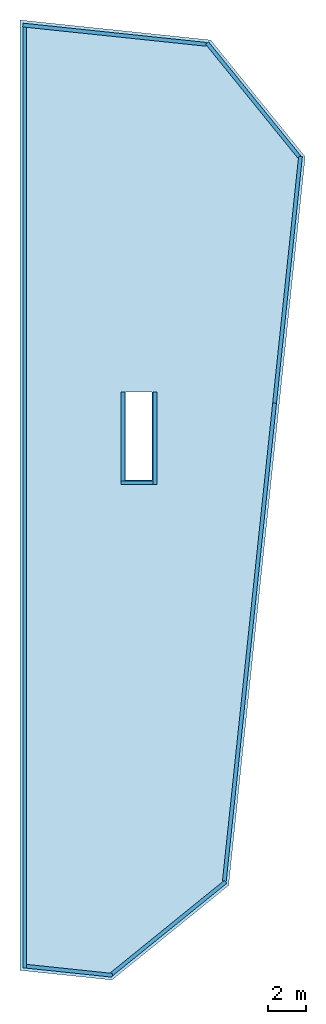
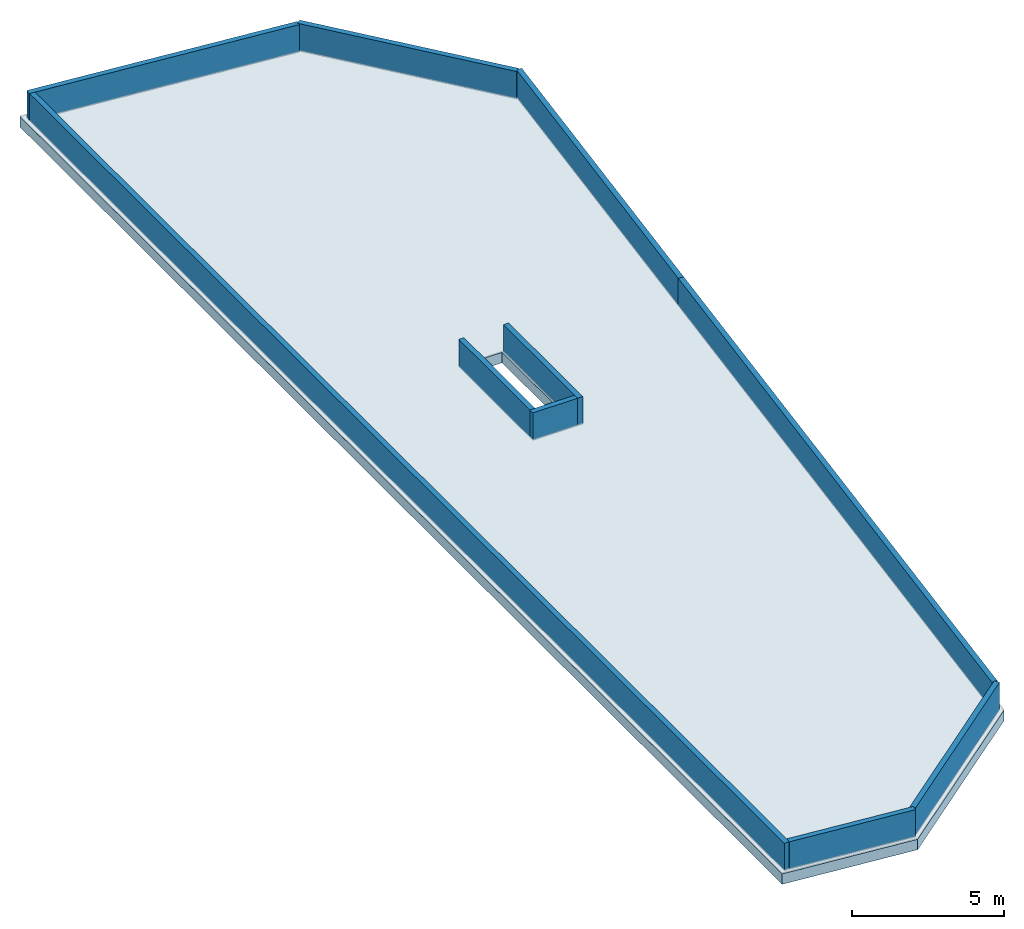
# One storey, part 1 of 2: 10 walls, 1 slab.
"""IFC4 building model written with IfcOpenShell, lengths in metres."""

from ifc_helpers import new_model, si_unit, direction, frame, frame_2d, origin, place, context, subcontext, project, spatial, polyline, rectangle, outline, extrude, material, layer, layer_set, type_object, element, save


model = new_model("IFC4")

# Units and contexts
model_context = context("Model", 3, precision=1e-05, world=origin(), true_north=direction((0.0, 1.0)))
body_context = subcontext(model_context, "Body", "Model", "MODEL_VIEW")
ifc_project = project(units=[si_unit("LENGTHUNIT", "METRE"), si_unit("AREAUNIT", "SQUARE_METRE"), si_unit("VOLUMEUNIT", "CUBIC_METRE"), si_unit("PLANEANGLEUNIT", "RADIAN"), si_unit("MASSUNIT", "GRAM", prefix="KILO")], contexts=[model_context])

# Site, building, storey
site_placement = place(None, origin())
site = spatial("IfcSite", under=ifc_project, at=site_placement, CompositionType="ELEMENT")
building_placement = place(site_placement, origin())
building = spatial("IfcBuilding", under=site, at=building_placement, Name="Millrace Tower", CompositionType="ELEMENT")
storey_placement = place(building_placement, frame((0.0, 0.0, 368.39990234375)))
storey = spatial("IfcBuildingStorey", under=building, at=storey_placement, Name="ROOF-2", CompositionType="ELEMENT", Elevation=368.39990234375)

# Slab
ifc_material_1 = material(Name="Concrete C40", Category="concrete")
ifc_layer_1 = layer(ifc_material_1, 0.419921875)
ifc_layer_set_1 = layer_set([ifc_layer_1], Name="Concrete C40")
slab_type = type_object("IfcSlabType", Name="CROWN FRAME cap roof slab 420 mm", PredefinedType="ROOF", material=ifc_layer_set_1)
slab_placement = place(storey_placement, frame((0.0, 0.0, -0.2998046875)))
element("IfcSlab", 1, at=slab_placement, inside=storey, type_object=slab_type, Name="CROWN FRAME cap roof slab E", PredefinedType="ROOF", context=body_context, shape_type="SweptSolid", body=[
    extrude(outline(polyline([(16.862548828125, -22.5390625), (23.037109375, -17.5390625), (25.705810546875, 7.85302734375), (27.089111328125, 21.0126953125), (22.089111328125, 27.18701171875), (12.0, 28.24755859375), (12.0, -22.02783203125), (16.862548828125, -22.5390625)]), holes=[polyline([(17.593017578125, 3.922119140625), (18.9931640625, 3.922119140625), (18.9931640625, 8.562255859375), (17.593017578125, 8.562255859375), (17.593017578125, 3.922119140625)])]), origin(), (0.0, 0.0, 1.0), 0.419921875),
])

# Walls
ifc_material_2 = material(Name="Concrete C40", Category="concrete")
ifc_layer_2 = layer(ifc_material_2, 0.199951171875)
ifc_layer_set_2 = layer_set([ifc_layer_2], Name="Concrete C40")
wall_type = type_object("IfcWallType", Name="Roof parapet 1100", PredefinedType="PARAPET", material=ifc_layer_set_2)
wall_1_placement = place(storey_placement, frame((19.14306640625, 8.562255859375, 0.1201171875), z_axis=(0.0, 0.0, 1.0), x_axis=(0.0, -1.0, 0.0)))
element("IfcWall", 2, at=wall_1_placement, inside=storey, type_object=wall_type, Name="Antenna deck stair well parapet 1", PredefinedType="PARAPET", context=body_context, shape_type="SweptSolid", body=[
    extrude(rectangle(XDim=4.89013671875, YDim=0.199951171875, at=frame_2d((2.445068359375, 0.0))), origin(), (0.0, 0.0, 1.0), 1.10009765625),
])
wall_2_placement = place(storey_placement, frame((19.043212890625, 3.772216796875, 0.1201171875), z_axis=(0.0, 0.0, 1.0), x_axis=(-1.0, 0.0, 0.0)))
element("IfcWall", 3, at=wall_2_placement, inside=storey, type_object=wall_type, Name="Antenna deck stair well parapet 2", PredefinedType="PARAPET", context=body_context, shape_type="SweptSolid", body=[
    extrude(rectangle(XDim=1.7001953125, YDim=0.199951171875, at=frame_2d((0.85009765625, 0.0))), origin(), (0.0, 0.0, 1.0), 1.10009765625),
])
wall_3_placement = place(storey_placement, frame((17.443115234375, 3.8720703125, 0.1201171875), z_axis=(0.0, 0.0, 1.0), x_axis=(0.0, 1.0, 0.0)))
element("IfcWall", 4, at=wall_3_placement, inside=storey, type_object=wall_type, Name="Antenna deck stair well parapet 3", PredefinedType="PARAPET", context=body_context, shape_type="SweptSolid", body=[
    extrude(rectangle(XDim=4.690185546875, YDim=0.199951171875, at=frame_2d((2.34521484375, 0.0))), origin(), (0.0, 0.0, 1.0), 1.10009765625),
])
wall_4_placement = place(storey_placement, frame((22.809814453125, -17.310546875, 0.1201171875), z_axis=(0.0, 0.0, 1.0), x_axis=(0.104526353134, 0.99452211715, 0.0)))
element("IfcWall", 5, at=wall_4_placement, inside=storey, type_object=wall_type, Name="Crown roof parapet E 1", PredefinedType="PARAPET", context=body_context, shape_type="SweptSolid", body=[
    extrude(rectangle(XDim=25.4287109375, YDim=0.199951171875, at=frame_2d((12.71435546875, 0.0))), origin(), (0.0, 0.0, 1.0), 1.10009765625),
])
wall_5_placement = place(storey_placement, frame((25.4677734375, 7.978759765625, 0.1201171875), z_axis=(0.0, 0.0, 1.0), x_axis=(0.104530865473, 0.994521642883, 0.0)))
element("IfcWall", 6, at=wall_5_placement, inside=storey, type_object=wall_type, Name="Crown roof parapet E 2", PredefinedType="PARAPET", context=body_context, shape_type="SweptSolid", body=[
    extrude(rectangle(XDim=13.12841796875, YDim=0.199951171875, at=frame_2d((6.564208984375, 0.0))), origin(), (0.0, 0.0, 1.0), 1.10009765625),
])
wall_6_placement = place(storey_placement, frame((26.7666015625, 21.013427734375, 0.1201171875), z_axis=(0.0, 0.0, 1.0), x_axis=(-0.629308952043, 0.777155224442, 0.0)))
element("IfcWall", 7, at=wall_6_placement, inside=storey, type_object=wall_type, Name="Crown roof parapet E 3", PredefinedType="PARAPET", context=body_context, shape_type="SweptSolid", body=[
    extrude(rectangle(XDim=7.738037109375, YDim=0.199951171875, at=frame_2d((3.869140625, 0.0))), origin(), (0.0, 0.0, 1.0), 1.10009765625),
])
wall_7_placement = place(storey_placement, frame((21.8603515625, 26.959716796875, 0.1201171875), z_axis=(0.0, 0.0, 1.0), x_axis=(-0.994522156725, 0.104525976594, 0.0)))
element("IfcWall", 8, at=wall_7_placement, inside=storey, type_object=wall_type, Name="Crown roof parapet E 4", PredefinedType="PARAPET", context=body_context, shape_type="SweptSolid", body=[
    extrude(rectangle(XDim=9.76318359375, YDim=0.199951171875, at=frame_2d((4.881591796875, 0.0))), origin(), (0.0, 0.0, 1.0), 1.10009765625),
])
wall_8_placement = place(storey_placement, frame((12.25, 27.869873046875, 0.1201171875), z_axis=(0.0, 0.0, 1.0), x_axis=(0.0, -1.0, 0.0)))
element("IfcWall", 9, at=wall_8_placement, inside=storey, type_object=wall_type, Name="Crown roof parapet E 5", PredefinedType="PARAPET", context=body_context, shape_type="SweptSolid", body=[
    extrude(rectangle(XDim=49.772705078125, YDim=0.199951171875, at=frame_2d((24.88623046875, 0.0))), origin(), (0.0, 0.0, 1.0), 1.10009765625),
])
wall_9_placement = place(storey_placement, frame((12.349365234375, -21.813232421875, 0.1201171875), z_axis=(0.0, 0.0, 1.0), x_axis=(0.994520401634, -0.104542674223, 0.0)))
element("IfcWall", 10, at=wall_9_placement, inside=storey, type_object=wall_type, Name="Crown roof parapet E 6", PredefinedType="PARAPET", context=body_context, shape_type="SweptSolid", body=[
    extrude(rectangle(XDim=4.560791015625, YDim=0.199951171875, at=frame_2d((2.2802734375, 0.0))), origin(), (0.0, 0.0, 1.0), 1.10009765625),
])
wall_10_placement = place(storey_placement, frame((16.863525390625, -22.216552734375, 0.1201171875), z_axis=(0.0, 0.0, 1.0), x_axis=(0.777142728993, 0.62932438279, 0.0)))
element("IfcWall", 11, at=wall_10_placement, inside=storey, type_object=wall_type, Name="Crown roof parapet E 7", PredefinedType="PARAPET", context=body_context, shape_type="SweptSolid", body=[
    extrude(rectangle(XDim=7.73779296875, YDim=0.199951171875, at=frame_2d((3.868896484375, 0.0))), origin(), (0.0, 0.0, 1.0), 1.10009765625),
])

save(model, "model.ifc")
